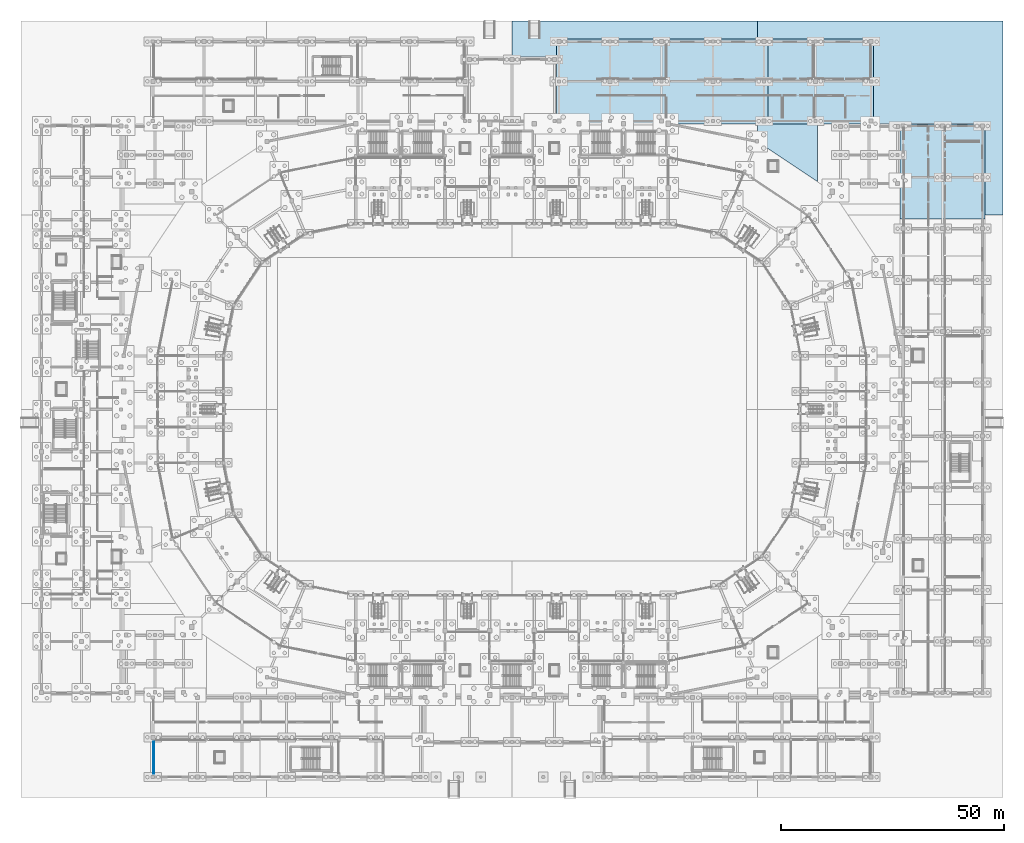
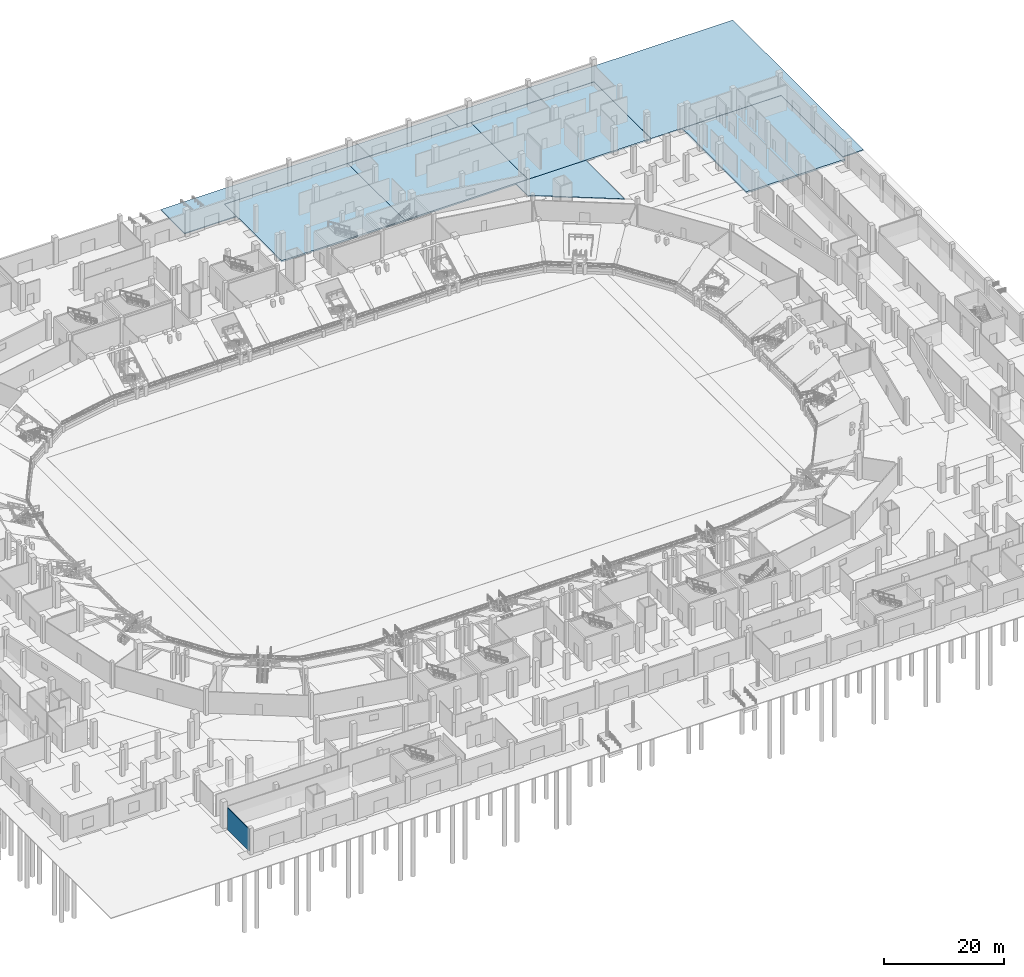
# One storey, part 23 of 68: 7 slabs, 1 wall.
"""IFC4 building model written with IfcOpenShell, lengths in metres."""

from ifc_helpers import new_model, si_unit, direction, frame, frame_2d, origin, place, context, subcontext, project, spatial, polyline, rectangle, outline, extrude, material, layer, layer_set, type_object, element, save


model = new_model("IFC4")

# Units and contexts
model_context = context("Model", 3, precision=1e-05, world=origin(), true_north=direction((0.0, 1.0)))
body_context = subcontext(model_context, "Body", "Model", "MODEL_VIEW")
ifc_project = project(units=[si_unit("LENGTHUNIT", "METRE"), si_unit("AREAUNIT", "SQUARE_METRE"), si_unit("VOLUMEUNIT", "CUBIC_METRE"), si_unit("PLANEANGLEUNIT", "RADIAN"), si_unit("MASSUNIT", "GRAM", prefix="KILO")], contexts=[model_context])

# Site, building, storey
site_placement = place(None, origin())
site = spatial("IfcSite", under=ifc_project, at=site_placement, CompositionType="ELEMENT")
building_placement = place(site_placement, origin())
building = spatial("IfcBuilding", under=site, at=building_placement, Name="Candeia Ridge Stadium", CompositionType="ELEMENT")
storey_placement = place(building_placement, origin())
storey = spatial("IfcBuildingStorey", under=building, at=storey_placement, Name="L00", CompositionType="ELEMENT", Elevation=0.0)

# Slabs
ifc_material_1 = material(Name="Concrete C35/45", Category="concrete")
ifc_layer_1 = layer(ifc_material_1, 0.18994140625, Name="Concrete C35/45", Category="concrete")
ifc_layer_set_1 = layer_set([ifc_layer_1], Name="Concrete C35/45")
slab_type_1 = type_object("IfcSlabType", Name="Exterior Boulevard Plaza Apron 190", PredefinedType="BASESLAB", material=ifc_layer_set_1)
slab_1_placement = place(storey_placement, frame((0.0, 0.0, -0.18994140625)))
element("IfcSlab", 1, at=slab_1_placement, inside=storey, type_object=slab_type_1, Name="Perimeter boulevard plaza apron SLB-L00-0341", PredefinedType="BASESLAB", context=body_context, shape_type="SweptSolid", body=[
    extrude(outline(polyline([(161.0, 170.0), (161.0, 166.02001953125), (116.0, 166.02001953125), (115.998046875, 166.02001953125), (115.99609375, 166.01953125), (115.994140625, 166.01904296875), (115.9921875, 166.0185546875), (115.990478515625, 166.017578125), (115.989013671875, 166.0166015625), (115.9873046875, 166.015380859375), (115.98583984375, 166.01416015625), (115.984619140625, 166.0126953125), (115.9833984375, 166.010986328125), (115.982421875, 166.009521484375), (115.9814453125, 166.0078125), (115.98095703125, 166.005859375), (115.98046875, 166.00390625), (115.97998046875, 166.001953125), (115.97998046875, 166.0), (115.97998046875, 162.02001953125), (106.0, 162.02001953125), (106.0, 170.0), (161.0, 170.0)])), origin(), (0.0, 0.0, 1.0), 0.18994140625),
])
slab_2_placement = place(storey_placement, frame((0.0, 0.0, -0.18994140625)))
element("IfcSlab", 2, at=slab_2_placement, inside=storey, type_object=slab_type_1, Name="Perimeter boulevard plaza apron SLB-L00-0352", PredefinedType="BASESLAB", context=body_context, shape_type="SweptSolid", body=[
    extrude(outline(polyline([(216.0, 170.0), (216.0, 126.5), (212.02001953125, 126.5), (212.02001953125, 147.0), (212.02001953125, 147.001953125), (212.01953125, 147.00390625), (212.01904296875, 147.005859375), (212.0185546875, 147.0078125), (212.017578125, 147.009521484375), (212.0166015625, 147.010986328125), (212.015380859375, 147.0126953125), (212.01416015625, 147.01416015625), (212.0126953125, 147.015380859375), (212.010986328125, 147.0166015625), (212.009521484375, 147.017578125), (212.0078125, 147.0185546875), (212.005859375, 147.01904296875), (212.00390625, 147.01953125), (212.001953125, 147.02001953125), (212.0, 147.02001953125), (187.02001953125, 147.02001953125), (187.02001953125, 166.0), (187.02001953125, 166.001953125), (187.01953125, 166.00390625), (187.01904296875, 166.005859375), (187.0185546875, 166.0078125), (187.017578125, 166.009521484375), (187.0166015625, 166.010986328125), (187.015380859375, 166.0126953125), (187.01416015625, 166.01416015625), (187.0126953125, 166.015380859375), (187.010986328125, 166.0166015625), (187.009521484375, 166.017578125), (187.0078125, 166.0185546875), (187.005859375, 166.01904296875), (187.00390625, 166.01953125), (187.001953125, 166.02001953125), (187.0, 166.02001953125), (161.0, 166.02001953125), (161.0, 170.0), (216.0, 170.0)])), origin(), (0.0, 0.0, 1.0), 0.18994140625),
])
slab_3_placement = place(storey_placement, frame((0.0, 0.0, -0.18994140625)))
element("IfcSlab", 3, at=slab_3_placement, inside=storey, type_object=slab_type_1, Name="Perimeter boulevard plaza apron SLB-L00-0354", PredefinedType="BASESLAB", context=body_context, shape_type="SweptSolid", body=[
    extrude(outline(polyline([(161.0, 142.998779296875), (161.0, 146.97998046875), (174.47998046875, 146.97998046875), (174.47998046875, 133.99169921875), (161.0, 142.998779296875)])), origin(), (0.0, 0.0, 1.0), 0.18994140625),
])
ifc_material_2 = material(Name="Concrete C40/50", Category="concrete")
ifc_layer_2 = layer(ifc_material_2, 0.300048828125, Name="Concrete C40/50", Category="concrete")
ifc_layer_set_2 = layer_set([ifc_layer_2], Name="Concrete C40/50")
slab_type_2 = type_object("IfcSlabType", Name="Ground Base Slab 300", PredefinedType="BASESLAB", material=ifc_layer_set_2)
slab_4_placement = place(storey_placement, frame((0.0, 0.0, -0.300048828125)))
element("IfcSlab", 4, at=slab_4_placement, inside=storey, type_object=slab_type_2, Name="Wing floor slab ne_n SLB-L00-0204", PredefinedType="BASESLAB", context=body_context, shape_type="SweptSolid", body=[
    extrude(outline(polyline([(139.666748046875, 147.0), (139.666748046875, 166.0), (116.0, 166.0), (116.0, 147.0), (139.666748046875, 147.0)])), origin(), (0.0, 0.0, 1.0), 0.300048828125),
])
slab_5_placement = place(storey_placement, frame((0.0, 0.0, -0.300048828125)))
element("IfcSlab", 5, at=slab_5_placement, inside=storey, type_object=slab_type_2, Name="Wing floor slab ne_n SLB-L00-0205", PredefinedType="BASESLAB", context=body_context, shape_type="SweptSolid", body=[
    extrude(outline(polyline([(163.333251953125, 147.0), (163.333251953125, 166.0), (139.666748046875, 166.0), (139.666748046875, 147.0), (163.333251953125, 147.0)])), origin(), (0.0, 0.0, 1.0), 0.300048828125),
])
slab_6_placement = place(storey_placement, frame((0.0, 0.0, -0.300048828125)))
element("IfcSlab", 6, at=slab_6_placement, inside=storey, type_object=slab_type_2, Name="Wing floor slab ne_n SLB-L00-0206", PredefinedType="BASESLAB", context=body_context, shape_type="SweptSolid", body=[
    extrude(outline(polyline([(187.0, 147.0), (187.0, 166.0), (163.333251953125, 166.0), (163.333251953125, 147.0), (187.0, 147.0)])), origin(), (0.0, 0.0, 1.0), 0.300048828125),
])
ifc_layer_3 = layer(ifc_material_2, 0.340087890625, Name="Concrete C40/50", Category="concrete")
ifc_layer_set_3 = layer_set([ifc_layer_3], Name="Concrete C40/50")
slab_type_3 = type_object("IfcSlabType", Name="Heavy Plant & Dock Base Slab 340", PredefinedType="BASESLAB", material=ifc_layer_set_3)
slab_7_placement = place(storey_placement, frame((0.0, 0.0, -0.340087890625)))
element("IfcSlab", 7, at=slab_7_placement, inside=storey, type_object=slab_type_3, Name="Wing floor slab east SLB-L00-0192", PredefinedType="BASESLAB", context=body_context, shape_type="SweptSolid", body=[
    extrude(outline(polyline([(212.0, 125.666748046875), (212.0, 147.0), (193.0, 147.0), (193.0, 125.666748046875), (212.0, 125.666748046875)])), origin(), (0.0, 0.0, 1.0), 0.340087890625),
])

# Wall
ifc_material_3 = material(Name="Gypsum Acoustic Twin-Stud Assembly", Category="gypsum")
ifc_layer_4 = layer(ifc_material_3, 0.1650390625, Name="Gypsum Acoustic Twin-Stud Assembly", Category="gypsum")
ifc_layer_set_4 = layer_set([ifc_layer_4], Name="Gypsum Acoustic Twin-Stud Assembly")
wall_type = type_object("IfcWallType", Name="Hospitality Suite Acoustic Wall 165", PredefinedType="PARTITIONING", material=ifc_layer_set_4)
wall_placement = place(storey_placement, frame((25.699951171875, 1.35009765625, 0.0), z_axis=(0.0, 0.0, 1.0), x_axis=(0.0, 1.0, 0.0)))
element("IfcWall", 8, at=wall_placement, inside=storey, type_object=wall_type, Name="Demising partition PT-L00-0053", PredefinedType="PARTITIONING", context=body_context, shape_type="SweptSolid", body=[
    extrude(rectangle(XDim=7.199951171875, YDim=0.1650390625, at=frame_2d((3.60009765625, 0.0))), origin(), (0.0, 0.0, 1.0), 4.47509765625),
])

save(model, "model.ifc")
